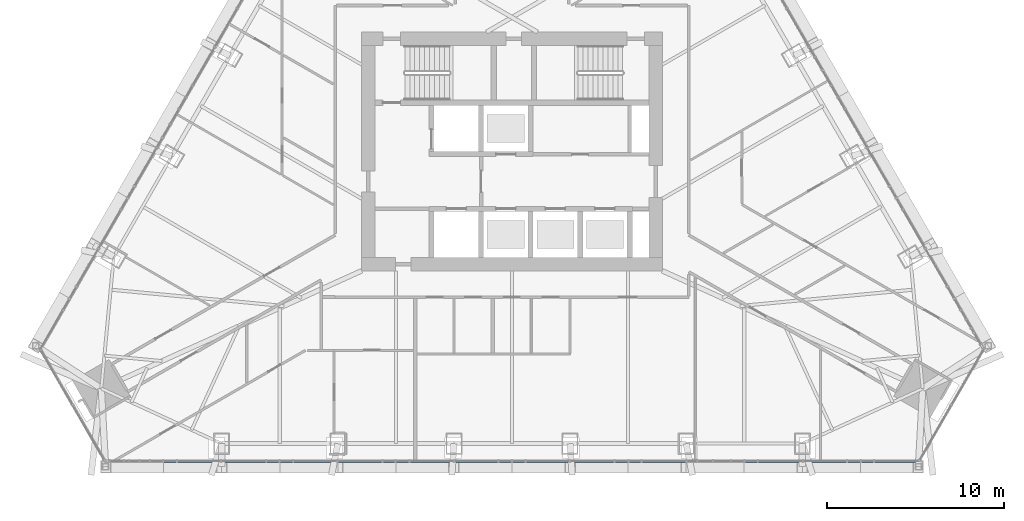
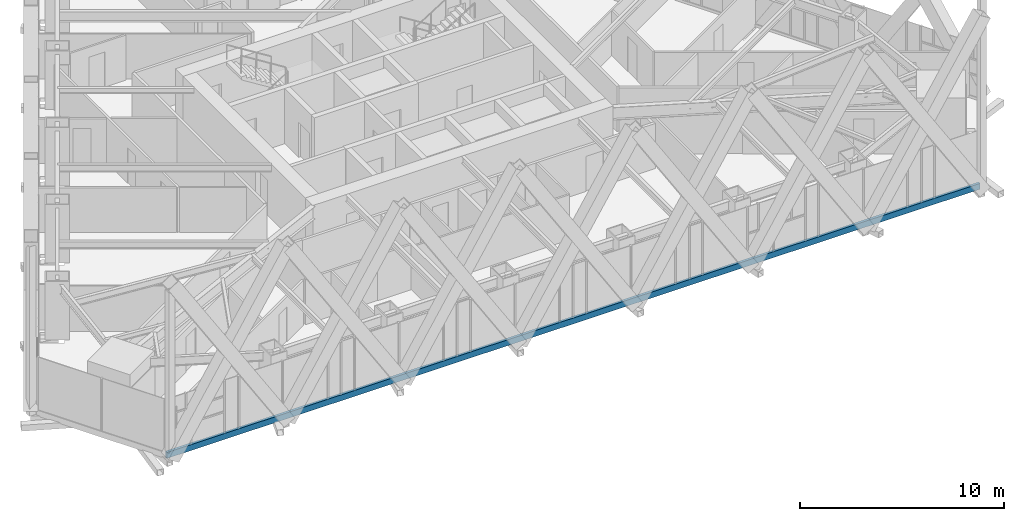
# One storey, part 3 of 25: 1 member, 1 element without a shape of its own.
"""IFC4 building model written with IfcOpenShell, lengths in metres."""

from ifc_helpers import new_model, si_unit, direction, frame, origin, origin_2d, place, context, subcontext, project, spatial, rectangle, extrude, material, layer, layer_set, material_profile, profile_set, type_object, element, aggregate, save


model = new_model("IFC4")

# Units and contexts
model_context = context("Model", 3, precision=1e-05, world=origin(), true_north=direction((0.0, 1.0)))
body_context = subcontext(model_context, "Body", "Model", "MODEL_VIEW")
ifc_project = project(units=[si_unit("LENGTHUNIT", "METRE"), si_unit("AREAUNIT", "SQUARE_METRE"), si_unit("VOLUMEUNIT", "CUBIC_METRE"), si_unit("PLANEANGLEUNIT", "RADIAN"), si_unit("MASSUNIT", "GRAM", prefix="KILO")], contexts=[model_context])

# Site, building, storey
site_placement = place(None, origin())
site = spatial("IfcSite", under=ifc_project, at=site_placement, CompositionType="ELEMENT")
building_placement = place(site_placement, origin())
building = spatial("IfcBuilding", under=site, at=building_placement, Name="Firuza Gate Tower and Library", CompositionType="ELEMENT")
storey_placement = place(building_placement, frame((0.0, 0.0, 270.60009765625)))
storey = spatial("IfcBuildingStorey", under=building, at=storey_placement, Name="L64", CompositionType="ELEMENT", Elevation=270.60009765625)

# Curtain wall, member
ifc_material_1 = material(Name="Aluminium 6063-T6", Category="aluminium")
ifc_layer = layer(ifc_material_1, 0.14990234375)
ifc_layer_set = layer_set([ifc_layer], Name="Unitised curtain wall, residences")
curtain_wall_type = type_object("IfcCurtainWallType", Name="Unitised curtain wall, residences", PredefinedType="NOTDEFINED", material=ifc_layer_set)
curtain_wall_placement = place(storey_placement, origin())
curtain_wall = element("IfcCurtainWall", 1, at=curtain_wall_placement, inside=storey, type_object=curtain_wall_type, Name="CW3 L64 S face", PredefinedType="NOTDEFINED")
ifc_material_2 = material(Name="Aluminium 6063-T6", Category="aluminium")
ifc_material_profile = material_profile(ifc_material_2, rectangle(XDim=0.14990234375, YDim=0.35009765625, at=origin_2d()))
ifc_profile_set = profile_set([ifc_material_profile], Name="Aluminium 6063-T6")
member_type = type_object("IfcMemberType", Name="Curtain wall transom 350x150", PredefinedType="USERDEFINED", material=ifc_profile_set)
member_placement = place(storey_placement, frame((51.97802734375, 57.501220703125, -0.025146484375), z_axis=(1.0, 0.0, 0.0), x_axis=(0.0, 1.0, 0.0)))
member = element("IfcMember", 2, at=member_placement, type_object=member_type, Name="Transom", ObjectType="TRANSOM", PredefinedType="USERDEFINED", context=body_context, shape_type="SweptSolid", body=[
    extrude(rectangle(XDim=0.14990234375, YDim=0.35009765625, at=origin_2d()), origin(), (0.0, 0.0, 1.0), 46.0439453125),
])
aggregate(curtain_wall, [member])

save(model, "model.ifc")
